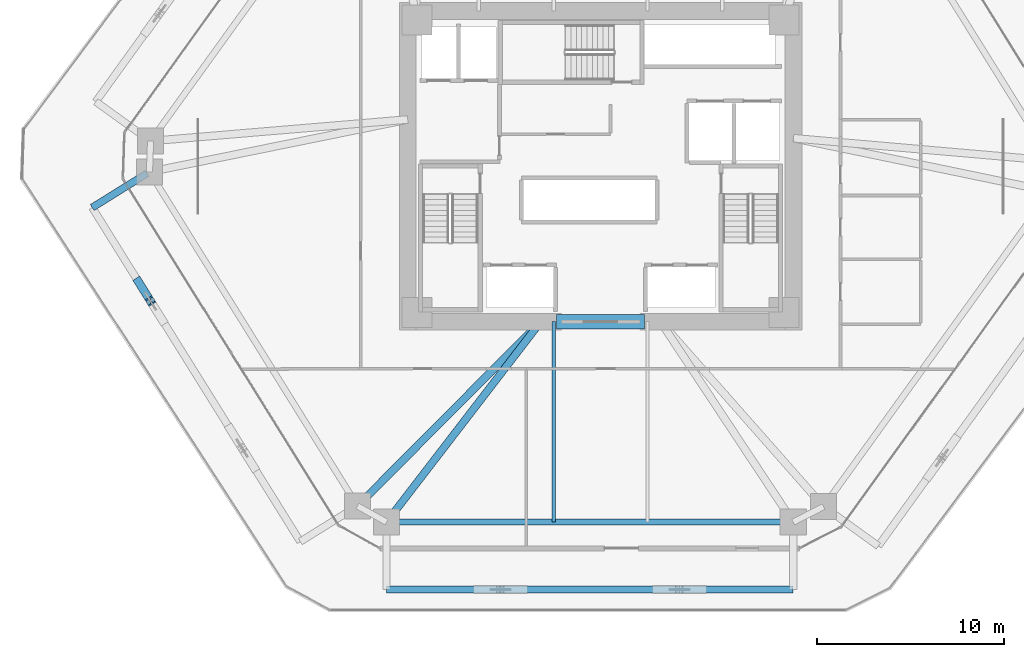
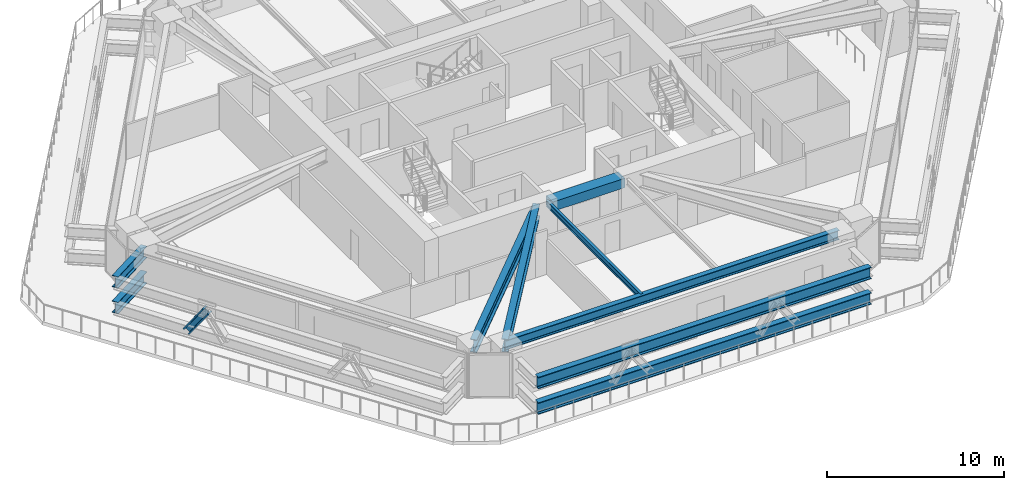
# One storey, part 3 of 20: 9 beams, 1 member.
"""IFC4 building model written with IfcOpenShell, lengths in metres."""

from ifc_helpers import new_model, si_unit, direction, frame, origin, origin_2d, place, context, subcontext, project, spatial, rectangle, i_section, extrude, source, transform, mapped, material, material_profile, profile_set, type_object, type_shapes, element, save


model = new_model("IFC4")

# Units and contexts
model_context = context("Model", 3, precision=1e-05, world=origin(), true_north=direction((0.0, 1.0)))
body_context = subcontext(model_context, "Body", "Model", "MODEL_VIEW")
ifc_project = project(units=[si_unit("LENGTHUNIT", "METRE"), si_unit("AREAUNIT", "SQUARE_METRE"), si_unit("VOLUMEUNIT", "CUBIC_METRE"), si_unit("PLANEANGLEUNIT", "RADIAN"), si_unit("MASSUNIT", "GRAM", prefix="KILO")], contexts=[model_context])

# Site, building, storey
site_placement = place(None, origin())
site = spatial("IfcSite", under=ifc_project, at=site_placement, CompositionType="ELEMENT")
building_placement = place(site_placement, origin())
building = spatial("IfcBuilding", under=site, at=building_placement, Name="Durnholm Broadcast Tower", CompositionType="ELEMENT")
storey_placement = place(building_placement, frame((0.0, 0.0, 32.39990234375)))
storey = spatial("IfcBuildingStorey", under=building, at=storey_placement, Name="L06", CompositionType="ELEMENT", Elevation=32.39990234375)

# Beams
ifc_material_1 = material(Name="Concrete C70/85", Category="concrete")
ifc_material_profile_1 = material_profile(ifc_material_1, rectangle(XDim=0.75, YDim=0.64990234375, at=origin_2d()), Name="RC750X650")
ifc_profile_set_1 = profile_set([ifc_material_profile_1], Name="Concrete C70/85")
beam_type_1 = type_object("IfcBeamType", Name="BM-CB-RC650", PredefinedType="LINTEL", material=ifc_profile_set_1)
shared_shape_1 = source(origin(), body_context, "Body", "SweptSolid", [
    extrude(rectangle(XDim=0.75, YDim=0.64990234375, at=origin_2d()), origin(), (0.0, 0.0, 1.0), 4.7001953125),
])
type_shapes(beam_type_1, [shared_shape_1])
beam_1_placement = place(storey_placement, frame((-2.35009765625, -8.300048828125, 2.72998046875), z_axis=(1.0, 0.0, 0.0), x_axis=(0.0, 1.0, 0.0)))
element("IfcBeam", 1, at=beam_1_placement, inside=storey, type_object=beam_type_1, Name="L06 south core coupling lintel beam CB-S", PredefinedType="LINTEL", context=body_context, shape_type="MappedRepresentation", body=[
    mapped(shared_shape_1, transform((0.0, 0.0, 0.0), x_axis=(1.0, 0.0, 0.0), y_axis=(0.0, 1.0, 0.0), z_axis=(0.0, 0.0, 1.0), scale=1.0)),
])
ifc_material_2 = material(Name="Steel ASTM A992 Grade 50", Category="steel")
ifc_material_profile_2 = material_profile(ifc_material_2, i_section(OverallWidth=0.3291015625, OverallDepth=0.635009765625, WebThickness=0.017822265625, FlangeThickness=0.031005859375, FilletRadius=0.02783203125, at=origin_2d()), Name="W24X162")
ifc_profile_set_2 = profile_set([ifc_material_profile_2], Name="Steel ASTM A992 Grade 50")
beam_type_2 = type_object("IfcBeamType", Name="STL-SP-W24X162", PredefinedType="SPANDREL", material=ifc_profile_set_2)
shared_shape_2 = source(origin(), body_context, "Body", "SweptSolid", [
    extrude(i_section(OverallWidth=0.3291015625, OverallDepth=0.635009765625, WebThickness=0.017822265625, FlangeThickness=0.031005859375, FilletRadius=0.02783203125, at=origin_2d()), origin(), (0.0, 0.0, 1.0), 21.7138671875),
])
type_shapes(beam_type_2, [shared_shape_2])
beam_2_placement = place(storey_placement, frame((10.28271484375, -19.0, 2.7275390625), z_axis=(-1.0, 0.0, 0.0), x_axis=(0.0, -1.0, 0.0)))
element("IfcBeam", 2, at=beam_2_placement, inside=storey, type_object=beam_type_2, Name="L06 perimeter spandrel girder 11", PredefinedType="SPANDREL", context=body_context, shape_type="MappedRepresentation", body=[
    mapped(shared_shape_2, transform((0.0, 0.0, 0.0), x_axis=(1.0, 0.0, 0.0), y_axis=(0.0, 1.0, 0.0), z_axis=(0.0, 0.0, 1.0), scale=1.0)),
])
ifc_material_profile_3 = material_profile(ifc_material_2, i_section(OverallWidth=0.404052734375, OverallDepth=0.885009765625, WebThickness=0.0244140625, FlangeThickness=0.0439453125, FilletRadius=0.03564453125, at=origin_2d()), Name="W33X291")
ifc_profile_set_3 = profile_set([ifc_material_profile_3], Name="Steel ASTM A992 Grade 50")
beam_type_3 = type_object("IfcBeamType", Name="STL-GR-W33X291", PredefinedType="USERDEFINED", material=ifc_profile_set_3)
shared_shape_3 = source(origin(), body_context, "Body", "SweptSolid", [
    extrude(i_section(OverallWidth=0.404052734375, OverallDepth=0.885009765625, WebThickness=0.0244140625, FlangeThickness=0.0439453125, FilletRadius=0.03564453125, at=origin_2d()), origin(), (0.0, 0.0, 1.0), 13.874267578125),
])
beam_3_placement = place(storey_placement, frame((-3.199951171875, -8.300048828125, 2.6025390625), z_axis=(-0.705097917174, -0.709109954237, 0.0), x_axis=(0.709109954237, -0.705097917174, 0.0)))
element("IfcBeam", 3, at=beam_3_placement, inside=storey, type_object=beam_type_3, Name="L06 radial primary floor girder 01", ObjectType="GIRDER", PredefinedType="USERDEFINED", context=body_context, shape_type="MappedRepresentation", body=[
    mapped(shared_shape_3, transform((0.0, 0.0, 0.0), x_axis=(1.0, 0.0, 0.0), y_axis=(0.0, 1.0, 0.0), z_axis=(0.0, 0.0, 1.0), scale=1.0)),
])
shared_shape_4 = source(origin(), body_context, "Body", "SweptSolid", [
    extrude(i_section(OverallWidth=0.404052734375, OverallDepth=0.885009765625, WebThickness=0.0244140625, FlangeThickness=0.0439453125, FilletRadius=0.03564453125, at=origin_2d()), origin(), (0.0, 0.0, 1.0), 13.499755859375),
])
type_shapes(beam_type_3, [shared_shape_3, shared_shape_4])
beam_4_placement = place(storey_placement, frame((-3.199951171875, -8.300048828125, 2.6025390625), z_axis=(-0.609732610412, -0.79260718127, 0.0), x_axis=(0.79260718127, -0.609732610412, 0.0)))
element("IfcBeam", 4, at=beam_4_placement, inside=storey, type_object=beam_type_3, Name="L06 radial primary floor girder 12", ObjectType="GIRDER", PredefinedType="USERDEFINED", context=body_context, shape_type="MappedRepresentation", body=[
    mapped(shared_shape_4, transform((0.0, 0.0, 0.0), x_axis=(1.0, 0.0, 0.0), y_axis=(0.0, 1.0, 0.0), z_axis=(0.0, 0.0, 1.0), scale=1.0)),
])
ifc_material_profile_4 = material_profile(ifc_material_2, i_section(OverallWidth=0.180908203125, OverallDepth=0.417236328125, WebThickness=0.010986328125, FlangeThickness=0.018310546875, FilletRadius=0.01904296875, at=origin_2d()), Name="W16X57")
ifc_profile_set_4 = profile_set([ifc_material_profile_4], Name="Steel ASTM A992 Grade 50")
beam_type_4 = type_object("IfcBeamType", Name="STL-BJ-W16X57", PredefinedType="JOIST", material=ifc_profile_set_4)
shared_shape_5 = source(origin(), body_context, "Body", "SweptSolid", [
    extrude(i_section(OverallWidth=0.180908203125, OverallDepth=0.417236328125, WebThickness=0.010986328125, FlangeThickness=0.018310546875, FilletRadius=0.01904296875, at=origin_2d()), origin(), (0.0, 0.0, 1.0), 10.699951171875),
])
type_shapes(beam_type_4, [shared_shape_5])
beam_5_placement = place(storey_placement, frame((-2.5, -19.0, 2.83642578125), z_axis=(0.0, 1.0, 0.0), x_axis=(-1.0, 0.0, 0.0)))
element("IfcBeam", 5, at=beam_5_placement, inside=storey, type_object=beam_type_4, Name="L06 secondary floor joist 5.1", PredefinedType="JOIST", context=body_context, shape_type="MappedRepresentation", body=[
    mapped(shared_shape_5, transform((0.0, 0.0, 0.0), x_axis=(1.0, 0.0, 0.0), y_axis=(0.0, 1.0, 0.0), z_axis=(0.0, 0.0, 1.0), scale=1.0)),
])
ifc_material_profile_5 = material_profile(ifc_material_2, i_section(OverallWidth=0.385009765625, OverallDepth=0.802978515625, WebThickness=0.023681640625, FlangeThickness=0.0419921875, FilletRadius=0.032958984375, at=origin_2d()), Name="W30X261")
ifc_profile_set_5 = profile_set([ifc_material_profile_5], Name="Steel ASTM A992 Grade 50")
beam_type_5 = type_object("IfcBeamType", Name="BM-EXO-TIE", PredefinedType="USERDEFINED", material=ifc_profile_set_5)
shared_shape_6 = source(origin(), body_context, "Body", "SweptSolid", [
    extrude(i_section(OverallWidth=0.385009765625, OverallDepth=0.802978515625, WebThickness=0.023681640625, FlangeThickness=0.0419921875, FilletRadius=0.032958984375, at=origin_2d()), origin(), (0.0, 0.0, 1.0), 3.4560546875),
])
for number, where, z_axis, x_axis, name in (
    (6, (-24.212890625, -0.375732421875, 0.550048828125), (-0.848874183218, -0.528594949906, 0.0), (0.528594949906, -0.848874183218, 0.0), "L06 zone-base exoskeleton stand-off tie bracket F6.1"),
    (7, (-24.212890625, -0.375732421875, 2.30859375), (-0.848874183218, -0.528594949906, 0.0), (0.528594949906, -0.848874183218, 0.0), "L06 exoskeleton stand-off tie bracket F6.1"),
):
    element("IfcBeam", number, at=place(storey_placement, frame(where, z_axis=z_axis, x_axis=x_axis)), inside=storey, type_object=beam_type_5, Name=name, ObjectType="GIRDER", PredefinedType="USERDEFINED", context=body_context, shape_type="MappedRepresentation", body=[
        mapped(shared_shape_6, transform((0.0, 0.0, 0.0), x_axis=(1.0, 0.0, 0.0), y_axis=(0.0, 1.0, 0.0), z_axis=(0.0, 0.0, 1.0), scale=1.0)),
    ])
shared_shape_7 = source(origin(), body_context, "Body", "SweptSolid", [
    extrude(i_section(OverallWidth=0.385009765625, OverallDepth=0.802978515625, WebThickness=0.023681640625, FlangeThickness=0.0419921875, FilletRadius=0.032958984375, at=origin_2d()), origin(), (0.0, 0.0, 1.0), 21.7138671875),
])
type_shapes(beam_type_5, [shared_shape_6, shared_shape_7])
for number, where, z_axis, x_axis, name in (
    (8, (-11.43115234375, -22.60009765625, 0.550048828125), (1.0, 0.0, 0.0), (0.0, 1.0, 0.0), "L06 zone-base exoskeleton collector spandrel F1"),
    (9, (-11.43115234375, -22.60009765625, 2.30859375), (1.0, 0.0, 0.0), (0.0, 1.0, 0.0), "L06 exoskeleton collector spandrel F1"),
):
    element("IfcBeam", number, at=place(storey_placement, frame(where, z_axis=z_axis, x_axis=x_axis)), inside=storey, type_object=beam_type_5, Name=name, PredefinedType="SPANDREL", context=body_context, shape_type="MappedRepresentation", body=[
        mapped(shared_shape_7, transform((0.0, 0.0, 0.0), x_axis=(1.0, 0.0, 0.0), y_axis=(0.0, 1.0, 0.0), z_axis=(0.0, 0.0, 1.0), scale=1.0)),
    ])

# Member
ifc_material_3 = material(Name="Steel ASTM A913 Grade 65", Category="steel")
ifc_material_profile_6 = material_profile(ifc_material_3, i_section(OverallWidth=0.43212890625, OverallDepth=0.497802734375, WebThickness=0.0556640625, FlangeThickness=0.0888671875, FilletRadius=0.030517578125, at=origin_2d()), Name="W14X500")
ifc_profile_set_6 = profile_set([ifc_material_profile_6], Name="Steel ASTM A913 Grade 65")
member_type = type_object("IfcMemberType", Name="STL-DG-W14X500", PredefinedType="BRACE", material=ifc_profile_set_6)
shared_shape_8 = source(origin(), body_context, "Body", "SweptSolid", [
    extrude(i_section(OverallWidth=0.43212890625, OverallDepth=0.497802734375, WebThickness=0.0556640625, FlangeThickness=0.0888671875, FilletRadius=0.030517578125, at=origin_2d()), origin(), (0.0, 0.0, 1.0), 2.148193359375),
])
type_shapes(member_type, [shared_shape_8])
member_placement = place(storey_placement, frame((-24.688720703125, -6.150146484375, 0.550048828125), z_axis=(0.303662062675, -0.487541260807, 0.818592005033), x_axis=(0.848819847179, 0.528682198523, 0.0)))
element("IfcMember", 10, at=member_placement, inside=storey, type_object=member_type, Name="L06 stand-off diagrid brace F6.D1.1", PredefinedType="BRACE", context=body_context, shape_type="MappedRepresentation", body=[
    mapped(shared_shape_8, transform((0.0, 0.0, 0.0), x_axis=(1.0, 0.0, 0.0), y_axis=(0.0, 1.0, 0.0), z_axis=(0.0, 0.0, 1.0), scale=1.0)),
])

save(model, "model.ifc")
